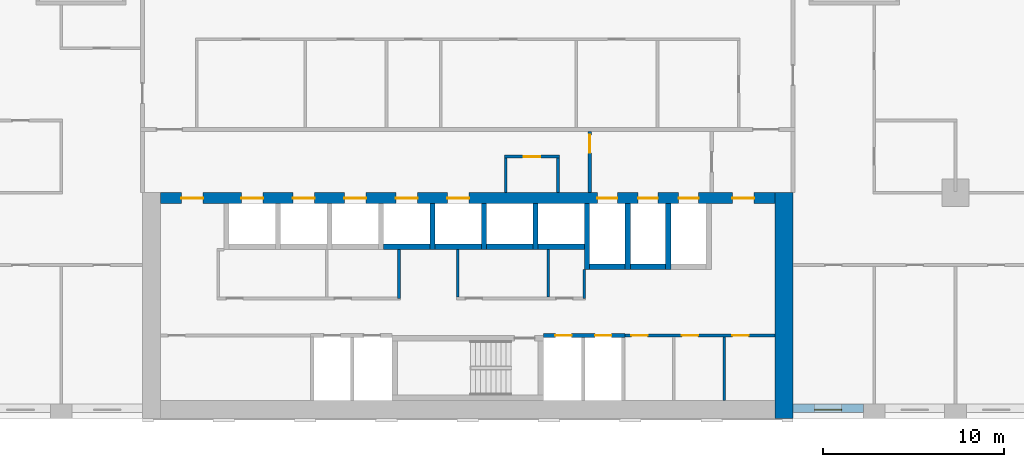
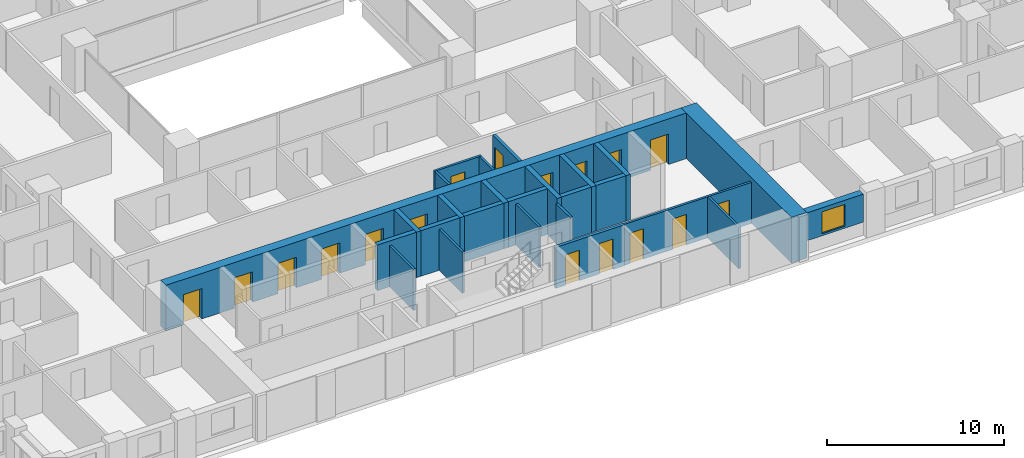
# One storey, part 11 of 20: 26 walls, 17 doors, 1 window, 18 openings.
"""IFC4 building model written with IfcOpenShell, lengths in metres."""

from ifc_helpers import new_model, si_unit, direction, frame, frame_2d, origin, place, context, subcontext, project, spatial, rectangle, extrude, material, layer, layer_set, type_object, element, fill, save


model = new_model("IFC4")

# Units and contexts
model_context = context("Model", 3, precision=1e-05, world=origin(), true_north=direction((0.0, 1.0)))
body_context = subcontext(model_context, "Body", "Model", "MODEL_VIEW")
ifc_project = project(units=[si_unit("LENGTHUNIT", "METRE"), si_unit("AREAUNIT", "SQUARE_METRE"), si_unit("VOLUMEUNIT", "CUBIC_METRE"), si_unit("PLANEANGLEUNIT", "RADIAN"), si_unit("MASSUNIT", "GRAM", prefix="KILO")], contexts=[model_context])

# Site, building, storey
site_placement = place(None, origin())
site = spatial("IfcSite", under=ifc_project, at=site_placement, CompositionType="ELEMENT")
building_placement = place(site_placement, origin())
building = spatial("IfcBuilding", under=site, at=building_placement, Name="Brigalow Station Residences", CompositionType="ELEMENT")
storey_placement = place(building_placement, frame((0.0, 0.0, 63.60009765625)))
storey = spatial("IfcBuildingStorey", under=building, at=storey_placement, Name="L18", CompositionType="ELEMENT", Elevation=63.60009765625)

# Wall, opening, window
ifc_material_1 = material(Name="Clay brick masonry", Category="masonry")
ifc_layer_1 = layer(ifc_material_1, 0.449951171875)
ifc_layer_set_1 = layer_set([ifc_layer_1], Name="BRICK INFILL WALL 450")
wall_type_1 = type_object("IfcWallType", Name="BRICK INFILL WALL 450", PredefinedType="SOLIDWALL", material=ifc_layer_set_1)
wall_1_placement = place(storey_placement, frame((54.0, 0.574951171875, 0.89990234375), z_axis=(0.0, 0.0, 1.0), x_axis=(1.0, 0.0, 0.0)))
wall_1 = element("IfcWall", 1, at=wall_1_placement, inside=storey, type_object=wall_type_1, Name="L18/ewall/W-L18-5", PredefinedType="SOLIDWALL", context=body_context, shape_type="SweptSolid", body=[
    extrude(rectangle(XDim=3.89990234375, YDim=0.449951171875, at=frame_2d((1.949951171875, 0.0))), origin(), (0.0, 0.0, 1.0), 1.929931640625),
])
opening_1_placement = place(wall_1_placement, frame((1.199951171875, 0.0, 0.14990234375)))
opening_1 = element("IfcOpeningElement", 2, at=opening_1_placement, cuts=wall_1, Name="Opening WT-1", PredefinedType="OPENING", context=body_context, shape_type="SweptSolid", body=[
    extrude(rectangle(XDim=1.5, YDim=1.5, at=frame_2d((0.75, 0.75))), frame((0.0, 0.23486328125, 0.0), z_axis=(0.0, -1.0, 0.0), x_axis=(1.0, 0.0, 0.0)), (0.0, 0.0, 1.0), 0.469970703125),
])
ifc_material_2 = material(Name="Anodised aluminium frame with double glazing", Category="aluminium")
window_type = type_object("IfcWindowType", Name="WINDOW 1500x1500", PartitioningType="SINGLE_PANEL", PredefinedType="WINDOW", material=ifc_material_2)
window_placement = place(opening_1_placement, origin())
window = element("IfcWindow", 3, at=window_placement, inside=storey, type_object=window_type, Name="L18/window/W-L18-5", OverallHeight=1.5, OverallWidth=1.5, PartitioningType="SINGLE_PANEL", PredefinedType="WINDOW", context=body_context, shape_type="SweptSolid", body=[
    extrude(rectangle(XDim=1.5, YDim=1.5, at=frame_2d((0.75, 0.75))), frame((0.0, -0.06494140625, 0.0), z_axis=(0.0, -1.0, 0.0), x_axis=(1.0, 0.0, 0.0)), (0.0, 0.0, 1.0), 0.06005859375),
])
fill(opening_1, window)

# Walls
ifc_material_3 = material(Name="Concrete C80", Category="concrete")
ifc_layer_2 = layer(ifc_material_3, 1.0)
ifc_layer_set_2 = layer_set([ifc_layer_2], Name="CORE SHEAR WALL 1000 C80")
wall_type_2 = type_object("IfcWallType", Name="CORE SHEAR WALL 1000 C80", PredefinedType="SHEAR", material=ifc_layer_set_2)
wall_2_placement = place(storey_placement, frame((53.5, 0.0, 0.0), z_axis=(0.0, 0.0, 1.0), x_axis=(0.0, 1.0, 0.0)))
element("IfcWall", 4, at=wall_2_placement, inside=storey, type_object=wall_type_2, Name="CORE WALL OUT-E L18", PredefinedType="SHEAR", context=body_context, shape_type="SweptSolid", body=[
    extrude(rectangle(XDim=12.5, YDim=1.0, at=frame_2d((6.25, 0.0))), origin(), (0.0, 0.0, 1.0), 3.14990234375),
])
ifc_material_4 = material(Name="Concrete C80", Category="concrete")
ifc_layer_3 = layer(ifc_material_4, 0.300048828125)
ifc_layer_set_3 = layer_set([ifc_layer_3], Name="CORE SHEAR WALL 300 C80")
wall_type_3 = type_object("IfcWallType", Name="CORE SHEAR WALL 300 C80", PredefinedType="SHEAR", material=ifc_layer_set_3)
wall_3_placement = place(storey_placement, frame((31.35009765625, 9.5, 0.0), z_axis=(0.0, 0.0, 1.0), x_axis=(1.0, 0.0, 0.0)))
element("IfcWall", 5, at=wall_3_placement, inside=storey, type_object=wall_type_3, Name="CORE WALL SH-P4-S L18", PredefinedType="SHEAR", context=body_context, shape_type="SweptSolid", body=[
    extrude(rectangle(XDim=2.5498046875, YDim=0.300048828125, at=frame_2d((1.27490234375, 0.0))), origin(), (0.0, 0.0, 1.0), 3.14990234375),
])
wall_4_placement = place(storey_placement, frame((34.199951171875, 9.5, 0.0), z_axis=(0.0, 0.0, 1.0), x_axis=(1.0, 0.0, 0.0)))
element("IfcWall", 6, at=wall_4_placement, inside=storey, type_object=wall_type_3, Name="CORE WALL SH-P5-S L18", PredefinedType="SHEAR", context=body_context, shape_type="SweptSolid", body=[
    extrude(rectangle(XDim=2.550048828125, YDim=0.300048828125, at=frame_2d((1.27490234375, 0.0))), origin(), (0.0, 0.0, 1.0), 3.14990234375),
])
wall_5_placement = place(storey_placement, frame((34.050048828125, 9.35009765625, 0.0), z_axis=(0.0, 0.0, 1.0), x_axis=(0.0, 1.0, 0.0)))
element("IfcWall", 7, at=wall_5_placement, inside=storey, type_object=wall_type_3, Name="CORE WALL SH-P5-W L18", PredefinedType="SHEAR", context=body_context, shape_type="SweptSolid", body=[
    extrude(rectangle(XDim=2.5498046875, YDim=0.300048828125, at=frame_2d((1.27490234375, 0.0))), origin(), (0.0, 0.0, 1.0), 3.14990234375),
])
wall_6_placement = place(storey_placement, frame((37.050048828125, 9.5, 0.0), z_axis=(0.0, 0.0, 1.0), x_axis=(1.0, 0.0, 0.0)))
element("IfcWall", 8, at=wall_6_placement, inside=storey, type_object=wall_type_3, Name="CORE WALL SH-X1-S L18", PredefinedType="SHEAR", context=body_context, shape_type="SweptSolid", body=[
    extrude(rectangle(XDim=2.550048828125, YDim=0.300048828125, at=frame_2d((1.27490234375, 0.0))), origin(), (0.0, 0.0, 1.0), 3.14990234375),
])
wall_7_placement = place(storey_placement, frame((36.89990234375, 9.35009765625, 0.0), z_axis=(0.0, 0.0, 1.0), x_axis=(0.0, 1.0, 0.0)))
element("IfcWall", 9, at=wall_7_placement, inside=storey, type_object=wall_type_3, Name="CORE WALL SH-X1-W L18", PredefinedType="SHEAR", context=body_context, shape_type="SweptSolid", body=[
    extrude(rectangle(XDim=2.5498046875, YDim=0.300048828125, at=frame_2d((1.27490234375, 0.0))), origin(), (0.0, 0.0, 1.0), 3.14990234375),
])
wall_8_placement = place(storey_placement, frame((39.89990234375, 9.5, 0.0), z_axis=(0.0, 0.0, 1.0), x_axis=(1.0, 0.0, 0.0)))
element("IfcWall", 10, at=wall_8_placement, inside=storey, type_object=wall_type_3, Name="CORE WALL SH-X2-S L18", PredefinedType="SHEAR", context=body_context, shape_type="SweptSolid", body=[
    extrude(rectangle(XDim=2.550048828125, YDim=0.300048828125, at=frame_2d((1.27490234375, 0.0))), origin(), (0.0, 0.0, 1.0), 3.14990234375),
])
wall_9_placement = place(storey_placement, frame((39.75, 9.35009765625, 0.0), z_axis=(0.0, 0.0, 1.0), x_axis=(0.0, 1.0, 0.0)))
element("IfcWall", 11, at=wall_9_placement, inside=storey, type_object=wall_type_3, Name="CORE WALL SH-X2-W L18", PredefinedType="SHEAR", context=body_context, shape_type="SweptSolid", body=[
    extrude(rectangle(XDim=2.5498046875, YDim=0.300048828125, at=frame_2d((1.27490234375, 0.0))), origin(), (0.0, 0.0, 1.0), 3.14990234375),
])
wall_10_placement = place(storey_placement, frame((42.75, 8.39990234375, 0.0), z_axis=(0.0, 0.0, 1.0), x_axis=(1.0, 0.0, 0.0)))
element("IfcWall", 12, at=wall_10_placement, inside=storey, type_object=wall_type_3, Name="CORE WALL SH-FF1-S L18", PredefinedType="SHEAR", context=body_context, shape_type="SweptSolid", body=[
    extrude(rectangle(XDim=1.949951171875, YDim=0.300048828125, at=frame_2d((0.97509765625, 0.0))), origin(), (0.0, 0.0, 1.0), 3.14990234375),
])
wall_11_placement = place(storey_placement, frame((42.60009765625, 8.25, 0.0), z_axis=(0.0, 0.0, 1.0), x_axis=(0.0, 1.0, 0.0)))
element("IfcWall", 13, at=wall_11_placement, inside=storey, type_object=wall_type_3, Name="CORE WALL SH-FF1-W L18", PredefinedType="SHEAR", context=body_context, shape_type="SweptSolid", body=[
    extrude(rectangle(XDim=3.64990234375, YDim=0.300048828125, at=frame_2d((1.824951171875, 0.0))), origin(), (0.0, 0.0, 1.0), 3.14990234375),
])
wall_12_placement = place(storey_placement, frame((45.0, 8.39990234375, 0.0), z_axis=(0.0, 0.0, 1.0), x_axis=(1.0, 0.0, 0.0)))
element("IfcWall", 14, at=wall_12_placement, inside=storey, type_object=wall_type_3, Name="CORE WALL SH-FF2-S L18", PredefinedType="SHEAR", context=body_context, shape_type="SweptSolid", body=[
    extrude(rectangle(XDim=1.949951171875, YDim=0.300048828125, at=frame_2d((0.97509765625, 0.0))), origin(), (0.0, 0.0, 1.0), 3.14990234375),
])
for number, where, z_axis, x_axis, name in (
    (15, (44.85009765625, 8.25, 0.0), (0.0, 0.0, 1.0), (0.0, 1.0, 0.0), "CORE WALL SH-FF2-W L18"),
    (16, (47.10009765625, 8.25, 0.0), (0.0, 0.0, 1.0), (0.0, 1.0, 0.0), "CORE WALL SH-SL1-W L18"),
):
    element("IfcWall", number, at=place(storey_placement, frame(where, z_axis=z_axis, x_axis=x_axis)), inside=storey, type_object=wall_type_3, Name=name, PredefinedType="SHEAR", context=body_context, shape_type="SweptSolid", body=[
        extrude(rectangle(XDim=3.64990234375, YDim=0.300048828125, at=frame_2d((1.824951171875, 0.0))), origin(), (0.0, 0.0, 1.0), 3.14990234375),
    ])

# Wall, openings, doors
ifc_material_5 = material(Name="Concrete C80", Category="concrete")
ifc_layer_4 = layer(ifc_material_5, 0.60009765625)
ifc_layer_set_4 = layer_set([ifc_layer_4], Name="CORE SHEAR WALL 600 C80")
wall_type_4 = type_object("IfcWallType", Name="CORE SHEAR WALL 600 C80", PredefinedType="SHEAR", material=ifc_layer_set_4)
wall_13_placement = place(storey_placement, frame((19.0, 12.199951171875, 0.0), z_axis=(0.0, 0.0, 1.0), x_axis=(1.0, 0.0, 0.0)))
wall_13 = element("IfcWall", 17, at=wall_13_placement, inside=storey, type_object=wall_type_4, Name="CORE WALL OUT-N L18", PredefinedType="SHEAR", context=body_context, shape_type="SweptSolid", body=[
    extrude(rectangle(XDim=34.0, YDim=0.60009765625, at=frame_2d((17.0, 0.0))), origin(), (0.0, 0.0, 1.0), 3.14990234375),
])
opening_2_placement = place(wall_13_placement, frame((4.47509765625, 0.0, 0.0)))
opening_2 = element("IfcOpeningElement", 18, at=opening_2_placement, cuts=wall_13, Name="Opening LD-LA1", PredefinedType="OPENING", context=body_context, shape_type="SweptSolid", body=[
    extrude(rectangle(XDim=1.199951171875, YDim=2.10009765625, at=frame_2d((0.60009765625, 1.050048828125))), frame((0.0, 0.31005859375, 0.0), z_axis=(0.0, -1.0, 0.0), x_axis=(1.0, 0.0, 0.0)), (0.0, 0.0, 1.0), 0.6201171875),
])
opening_3_placement = place(wall_13_placement, frame((7.324951171875, 0.0, 0.0)))
opening_3 = element("IfcOpeningElement", 19, at=opening_3_placement, cuts=wall_13, Name="Opening LD-LA2", PredefinedType="OPENING", context=body_context, shape_type="SweptSolid", body=[
    extrude(rectangle(XDim=1.199951171875, YDim=2.10009765625, at=frame_2d((0.60009765625, 1.050048828125))), frame((0.0, 0.31005859375, 0.0), z_axis=(0.0, -1.0, 0.0), x_axis=(1.0, 0.0, 0.0)), (0.0, 0.0, 1.0), 0.6201171875),
])
opening_4_placement = place(wall_13_placement, frame((10.175048828125, 0.0, 0.0)))
opening_4 = element("IfcOpeningElement", 20, at=opening_4_placement, cuts=wall_13, Name="Opening LD-LA3", PredefinedType="OPENING", context=body_context, shape_type="SweptSolid", body=[
    extrude(rectangle(XDim=1.199951171875, YDim=2.10009765625, at=frame_2d((0.60009765625, 1.050048828125))), frame((0.0, 0.31005859375, 0.0), z_axis=(0.0, -1.0, 0.0), x_axis=(1.0, 0.0, 0.0)), (0.0, 0.0, 1.0), 0.6201171875),
])
opening_5_placement = place(wall_13_placement, frame((13.02490234375, 0.0, 0.0)))
opening_5 = element("IfcOpeningElement", 21, at=opening_5_placement, cuts=wall_13, Name="Opening LD-LA4", PredefinedType="OPENING", context=body_context, shape_type="SweptSolid", body=[
    extrude(rectangle(XDim=1.199951171875, YDim=2.10009765625, at=frame_2d((0.60009765625, 1.050048828125))), frame((0.0, 0.31005859375, 0.0), z_axis=(0.0, -1.0, 0.0), x_axis=(1.0, 0.0, 0.0)), (0.0, 0.0, 1.0), 0.6201171875),
])
opening_6_placement = place(wall_13_placement, frame((15.875, 0.0, 0.0)))
opening_6 = element("IfcOpeningElement", 22, at=opening_6_placement, cuts=wall_13, Name="Opening LD-LA5", PredefinedType="OPENING", context=body_context, shape_type="SweptSolid", body=[
    extrude(rectangle(XDim=1.199951171875, YDim=2.10009765625, at=frame_2d((0.60009765625, 1.050048828125))), frame((0.0, 0.31005859375, 0.0), z_axis=(0.0, -1.0, 0.0), x_axis=(1.0, 0.0, 0.0)), (0.0, 0.0, 1.0), 0.6201171875),
])
opening_7_placement = place(wall_13_placement, frame((24.175048828125, 0.0, 0.0)))
opening_7 = element("IfcOpeningElement", 23, at=opening_7_placement, cuts=wall_13, Name="Opening LD-LF1", PredefinedType="OPENING", context=body_context, shape_type="SweptSolid", body=[
    extrude(rectangle(XDim=1.10009765625, YDim=2.10009765625, at=frame_2d((0.550048828125, 1.050048828125))), frame((0.0, 0.31005859375, 0.0), z_axis=(0.0, -1.0, 0.0), x_axis=(1.0, 0.0, 0.0)), (0.0, 0.0, 1.0), 0.6201171875),
])
opening_8_placement = place(wall_13_placement, frame((26.425048828125, 0.0, 0.0)))
opening_8 = element("IfcOpeningElement", 24, at=opening_8_placement, cuts=wall_13, Name="Opening LD-LF2", PredefinedType="OPENING", context=body_context, shape_type="SweptSolid", body=[
    extrude(rectangle(XDim=1.10009765625, YDim=2.10009765625, at=frame_2d((0.550048828125, 1.050048828125))), frame((0.0, 0.31005859375, 0.0), z_axis=(0.0, -1.0, 0.0), x_axis=(1.0, 0.0, 0.0)), (0.0, 0.0, 1.0), 0.6201171875),
])
opening_9_placement = place(wall_13_placement, frame((28.675048828125, 0.0, 0.0)))
opening_9 = element("IfcOpeningElement", 25, at=opening_9_placement, cuts=wall_13, Name="Opening LD-LG1", PredefinedType="OPENING", context=body_context, shape_type="SweptSolid", body=[
    extrude(rectangle(XDim=1.10009765625, YDim=2.10009765625, at=frame_2d((0.550048828125, 1.050048828125))), frame((0.0, 0.31005859375, 0.0), z_axis=(0.0, -1.0, 0.0), x_axis=(1.0, 0.0, 0.0)), (0.0, 0.0, 1.0), 0.6201171875),
])
opening_10_placement = place(wall_13_placement, frame((1.14990234375, 0.0, 0.0)))
opening_10 = element("IfcOpeningElement", 26, at=opening_10_placement, cuts=wall_13, Name="Opening D-5011", PredefinedType="OPENING", context=body_context, shape_type="SweptSolid", body=[
    extrude(rectangle(XDim=1.199951171875, YDim=2.10009765625, at=frame_2d((0.60009765625, 1.050048828125))), frame((0.0, 0.31005859375, 0.0), z_axis=(0.0, -1.0, 0.0), x_axis=(1.0, 0.0, 0.0)), (0.0, 0.0, 1.0), 0.6201171875),
])
opening_11_placement = place(wall_13_placement, frame((31.64990234375, 0.0, 0.0)))
opening_11 = element("IfcOpeningElement", 27, at=opening_11_placement, cuts=wall_13, Name="Opening D-5012", PredefinedType="OPENING", context=body_context, shape_type="SweptSolid", body=[
    extrude(rectangle(XDim=1.199951171875, YDim=2.10009765625, at=frame_2d((0.60009765625, 1.050048828125))), frame((0.0, 0.31005859375, 0.0), z_axis=(0.0, -1.0, 0.0), x_axis=(1.0, 0.0, 0.0)), (0.0, 0.0, 1.0), 0.6201171875),
])
ifc_material_6 = material(Name="Steel fire door leaf in steel frame", Category="steel")
door_type_1 = type_object("IfcDoorType", Name="CORE CORRIDOR DOOR 1200 x 2100 FD60S", OperationType="SINGLE_SWING_LEFT", PredefinedType="DOOR", material=ifc_material_6)
door_1_placement = place(opening_10_placement, frame((1.199951171875, 0.0, 0.0), z_axis=(0.0, 0.0, 1.0), x_axis=(-1.0, 0.0, 0.0)))
door_1 = element("IfcDoor", 28, at=door_1_placement, inside=storey, type_object=door_type_1, Name="D-5011", OperationType="SINGLE_SWING_LEFT", OverallHeight=2.10009765625, OverallWidth=1.199951171875, PredefinedType="DOOR", context=body_context, shape_type="SweptSolid", body=[
    extrude(rectangle(XDim=1.199951171875, YDim=2.10009765625, at=frame_2d((0.60009765625, 1.050048828125))), frame((0.0, 0.02490234375, 0.0), z_axis=(0.0, -1.0, 0.0), x_axis=(1.0, 0.0, 0.0)), (0.0, 0.0, 1.0), 0.050048828125),
])
fill(opening_10, door_1)
door_2_placement = place(opening_11_placement, frame((1.199951171875, 0.0, 0.0), z_axis=(0.0, 0.0, 1.0), x_axis=(-1.0, 0.0, 0.0)))
door_2 = element("IfcDoor", 29, at=door_2_placement, inside=storey, type_object=door_type_1, Name="D-5012", OperationType="SINGLE_SWING_RIGHT", OverallHeight=2.10009765625, OverallWidth=1.199951171875, PredefinedType="DOOR", context=body_context, shape_type="SweptSolid", body=[
    extrude(rectangle(XDim=1.199951171875, YDim=2.10009765625, at=frame_2d((0.60009765625, 1.050048828125))), frame((0.0, 0.02490234375, 0.0), z_axis=(0.0, -1.0, 0.0), x_axis=(1.0, 0.0, 0.0)), (0.0, 0.0, 1.0), 0.050048828125),
])
fill(opening_11, door_2)
ifc_material_7 = material(Name="Stainless steel sliding door leaves", Category="steel")
door_type_2 = type_object("IfcDoorType", Name="LIFT LANDING DOOR 1100 x 2100", OperationType="DOUBLE_DOOR_SLIDING", PredefinedType="DOOR", material=ifc_material_7)
door_3_placement = place(opening_7_placement, origin())
door_3 = element("IfcDoor", 30, at=door_3_placement, inside=storey, type_object=door_type_2, Name="LANDING DOOR LF1", OperationType="DOUBLE_DOOR_SLIDING", OverallHeight=2.10009765625, OverallWidth=1.10009765625, PredefinedType="DOOR", context=body_context, shape_type="SweptSolid", body=[
    extrude(rectangle(XDim=1.10009765625, YDim=2.10009765625, at=frame_2d((0.550048828125, 1.050048828125))), frame((0.0, 0.02490234375, 0.0), z_axis=(0.0, -1.0, 0.0), x_axis=(1.0, 0.0, 0.0)), (0.0, 0.0, 1.0), 0.050048828125),
])
fill(opening_7, door_3)
door_4_placement = place(opening_8_placement, origin())
door_4 = element("IfcDoor", 31, at=door_4_placement, inside=storey, type_object=door_type_2, Name="LANDING DOOR LF2", OperationType="DOUBLE_DOOR_SLIDING", OverallHeight=2.10009765625, OverallWidth=1.10009765625, PredefinedType="DOOR", context=body_context, shape_type="SweptSolid", body=[
    extrude(rectangle(XDim=1.10009765625, YDim=2.10009765625, at=frame_2d((0.550048828125, 1.050048828125))), frame((0.0, 0.02490234375, 0.0), z_axis=(0.0, -1.0, 0.0), x_axis=(1.0, 0.0, 0.0)), (0.0, 0.0, 1.0), 0.050048828125),
])
fill(opening_8, door_4)
door_5_placement = place(opening_9_placement, origin())
door_5 = element("IfcDoor", 32, at=door_5_placement, inside=storey, type_object=door_type_2, Name="LANDING DOOR LG1", OperationType="DOUBLE_DOOR_SLIDING", OverallHeight=2.10009765625, OverallWidth=1.10009765625, PredefinedType="DOOR", context=body_context, shape_type="SweptSolid", body=[
    extrude(rectangle(XDim=1.10009765625, YDim=2.10009765625, at=frame_2d((0.550048828125, 1.050048828125))), frame((0.0, 0.02490234375, 0.0), z_axis=(0.0, -1.0, 0.0), x_axis=(1.0, 0.0, 0.0)), (0.0, 0.0, 1.0), 0.050048828125),
])
fill(opening_9, door_5)
ifc_material_8 = material(Name="Stainless steel sliding door leaves", Category="steel")
door_type_3 = type_object("IfcDoorType", Name="LIFT LANDING DOOR 1200 x 2100", OperationType="DOUBLE_DOOR_SLIDING", PredefinedType="DOOR", material=ifc_material_8)
door_6_placement = place(opening_2_placement, origin())
door_6 = element("IfcDoor", 33, at=door_6_placement, inside=storey, type_object=door_type_3, Name="LANDING DOOR LA1", OperationType="DOUBLE_DOOR_SLIDING", OverallHeight=2.10009765625, OverallWidth=1.199951171875, PredefinedType="DOOR", context=body_context, shape_type="SweptSolid", body=[
    extrude(rectangle(XDim=1.199951171875, YDim=2.10009765625, at=frame_2d((0.60009765625, 1.050048828125))), frame((0.0, 0.02490234375, 0.0), z_axis=(0.0, -1.0, 0.0), x_axis=(1.0, 0.0, 0.0)), (0.0, 0.0, 1.0), 0.050048828125),
])
fill(opening_2, door_6)
door_7_placement = place(opening_3_placement, origin())
door_7 = element("IfcDoor", 34, at=door_7_placement, inside=storey, type_object=door_type_3, Name="LANDING DOOR LA2", OperationType="DOUBLE_DOOR_SLIDING", OverallHeight=2.10009765625, OverallWidth=1.199951171875, PredefinedType="DOOR", context=body_context, shape_type="SweptSolid", body=[
    extrude(rectangle(XDim=1.199951171875, YDim=2.10009765625, at=frame_2d((0.60009765625, 1.050048828125))), frame((0.0, 0.02490234375, 0.0), z_axis=(0.0, -1.0, 0.0), x_axis=(1.0, 0.0, 0.0)), (0.0, 0.0, 1.0), 0.050048828125),
])
fill(opening_3, door_7)
door_8_placement = place(opening_4_placement, origin())
door_8 = element("IfcDoor", 35, at=door_8_placement, inside=storey, type_object=door_type_3, Name="LANDING DOOR LA3", OperationType="DOUBLE_DOOR_SLIDING", OverallHeight=2.10009765625, OverallWidth=1.199951171875, PredefinedType="DOOR", context=body_context, shape_type="SweptSolid", body=[
    extrude(rectangle(XDim=1.199951171875, YDim=2.10009765625, at=frame_2d((0.60009765625, 1.050048828125))), frame((0.0, 0.02490234375, 0.0), z_axis=(0.0, -1.0, 0.0), x_axis=(1.0, 0.0, 0.0)), (0.0, 0.0, 1.0), 0.050048828125),
])
fill(opening_4, door_8)
door_9_placement = place(opening_5_placement, origin())
door_9 = element("IfcDoor", 36, at=door_9_placement, inside=storey, type_object=door_type_3, Name="LANDING DOOR LA4", OperationType="DOUBLE_DOOR_SLIDING", OverallHeight=2.10009765625, OverallWidth=1.199951171875, PredefinedType="DOOR", context=body_context, shape_type="SweptSolid", body=[
    extrude(rectangle(XDim=1.199951171875, YDim=2.10009765625, at=frame_2d((0.60009765625, 1.050048828125))), frame((0.0, 0.02490234375, 0.0), z_axis=(0.0, -1.0, 0.0), x_axis=(1.0, 0.0, 0.0)), (0.0, 0.0, 1.0), 0.050048828125),
])
fill(opening_5, door_9)
door_10_placement = place(opening_6_placement, origin())
door_10 = element("IfcDoor", 37, at=door_10_placement, inside=storey, type_object=door_type_3, Name="LANDING DOOR LA5", OperationType="DOUBLE_DOOR_SLIDING", OverallHeight=2.10009765625, OverallWidth=1.199951171875, PredefinedType="DOOR", context=body_context, shape_type="SweptSolid", body=[
    extrude(rectangle(XDim=1.199951171875, YDim=2.10009765625, at=frame_2d((0.60009765625, 1.050048828125))), frame((0.0, 0.02490234375, 0.0), z_axis=(0.0, -1.0, 0.0), x_axis=(1.0, 0.0, 0.0)), (0.0, 0.0, 1.0), 0.050048828125),
])
fill(opening_6, door_10)

ifc_material_9 = material(Name="Concrete blockwork", Category="masonry")
ifc_layer_5 = layer(ifc_material_9, 0.199951171875)
ifc_layer_set_5 = layer_set([ifc_layer_5], Name="FIRE RATED CORE PARTITION 200")
wall_type_5 = type_object("IfcWallType", Name="FIRE RATED CORE PARTITION 200", PredefinedType="PARTITIONING", material=ifc_layer_set_5)
wall_14_placement = place(storey_placement, frame((40.199951171875, 4.60009765625, 0.0), z_axis=(0.0, 0.0, 1.0), x_axis=(1.0, 0.0, 0.0)))
wall_14 = element("IfcWall", 38, at=wall_14_placement, inside=storey, type_object=wall_type_5, Name="PW-5018", PredefinedType="PARTITIONING", context=body_context, shape_type="SweptSolid", body=[
    extrude(rectangle(XDim=4.5, YDim=0.199951171875, at=frame_2d((2.25, 0.0))), origin(), (0.0, 0.0, 1.0), 2.829833984375),
])
opening_12_placement = place(wall_14_placement, frame((0.64990234375, 0.0, 0.0)))
opening_12 = element("IfcOpeningElement", 39, at=opening_12_placement, cuts=wall_14, Name="Opening D-5009", PredefinedType="OPENING", context=body_context, shape_type="SweptSolid", body=[
    extrude(rectangle(XDim=0.89990234375, YDim=2.10009765625, at=frame_2d((0.449951171875, 1.050048828125))), frame((0.0, 0.10986328125, 0.0), z_axis=(0.0, -1.0, 0.0), x_axis=(1.0, 0.0, 0.0)), (0.0, 0.0, 1.0), 0.219970703125),
])
opening_13_placement = place(wall_14_placement, frame((2.85009765625, 0.0, 0.0)))
opening_13 = element("IfcOpeningElement", 40, at=opening_13_placement, cuts=wall_14, Name="Opening D-5010", PredefinedType="OPENING", context=body_context, shape_type="SweptSolid", body=[
    extrude(rectangle(XDim=0.89990234375, YDim=2.10009765625, at=frame_2d((0.449951171875, 1.050048828125))), frame((0.0, 0.10986328125, 0.0), z_axis=(0.0, -1.0, 0.0), x_axis=(1.0, 0.0, 0.0)), (0.0, 0.0, 1.0), 0.219970703125),
])
ifc_material_10 = material(Name="Steel fire door leaf in steel frame", Category="steel")
door_type_4 = type_object("IfcDoorType", Name="RISER ACCESS DOOR 900 x 2100 FD120", OperationType="SINGLE_SWING_LEFT", PredefinedType="DOOR", material=ifc_material_10)
door_11_placement = place(opening_12_placement, frame((0.89990234375, 0.0, 0.0), z_axis=(0.0, 0.0, 1.0), x_axis=(-1.0, 0.0, 0.0)))
door_11 = element("IfcDoor", 41, at=door_11_placement, inside=storey, type_object=door_type_4, Name="D-5009", OperationType="SINGLE_SWING_LEFT", OverallHeight=2.10009765625, OverallWidth=0.89990234375, PredefinedType="DOOR", context=body_context, shape_type="SweptSolid", body=[
    extrude(rectangle(XDim=0.89990234375, YDim=2.10009765625, at=frame_2d((0.449951171875, 1.050048828125))), frame((0.0, 0.02490234375, 0.0), z_axis=(0.0, -1.0, 0.0), x_axis=(1.0, 0.0, 0.0)), (0.0, 0.0, 1.0), 0.050048828125),
])
fill(opening_12, door_11)
door_12_placement = place(opening_13_placement, frame((0.89990234375, 0.0, 0.0), z_axis=(0.0, 0.0, 1.0), x_axis=(-1.0, 0.0, 0.0)))
door_12 = element("IfcDoor", 42, at=door_12_placement, inside=storey, type_object=door_type_4, Name="D-5010", OperationType="SINGLE_SWING_LEFT", OverallHeight=2.10009765625, OverallWidth=0.89990234375, PredefinedType="DOOR", context=body_context, shape_type="SweptSolid", body=[
    extrude(rectangle(XDim=0.89990234375, YDim=2.10009765625, at=frame_2d((0.449951171875, 1.050048828125))), frame((0.0, 0.02490234375, 0.0), z_axis=(0.0, -1.0, 0.0), x_axis=(1.0, 0.0, 0.0)), (0.0, 0.0, 1.0), 0.050048828125),
])
fill(opening_13, door_12)

# Wall, opening, door
wall_15_placement = place(storey_placement, frame((42.75, 12.5, 0.0), z_axis=(0.0, 0.0, 1.0), x_axis=(0.0, 1.0, 0.0)))
wall_15 = element("IfcWall", 43, at=wall_15_placement, inside=storey, type_object=wall_type_5, Name="PW-5014", PredefinedType="PARTITIONING", context=body_context, shape_type="SweptSolid", body=[
    extrude(rectangle(XDim=3.39990234375, YDim=0.199951171875, at=frame_2d((1.699951171875, 0.0))), origin(), (0.0, 0.0, 1.0), 2.829833984375),
])
opening_14_placement = place(wall_15_placement, frame((2.199951171875, 0.0, 0.0)))
opening_14 = element("IfcOpeningElement", 44, at=opening_14_placement, cuts=wall_15, Name="Opening D-5013", PredefinedType="OPENING", context=body_context, shape_type="SweptSolid", body=[
    extrude(rectangle(XDim=1.0, YDim=2.10009765625, at=frame_2d((0.5, 1.050048828125))), frame((0.0, 0.10986328125, 0.0), z_axis=(0.0, -1.0, 0.0), x_axis=(1.0, 0.0, 0.0)), (0.0, 0.0, 1.0), 0.219970703125),
])
ifc_material_11 = material(Name="Steel fire door leaf in steel frame", Category="steel")
door_type_5 = type_object("IfcDoorType", Name="LOBBY DOOR 1000 x 2100 FD60S", OperationType="SINGLE_SWING_LEFT", PredefinedType="DOOR", material=ifc_material_11)
door_13_placement = place(opening_14_placement, origin())
door_13 = element("IfcDoor", 45, at=door_13_placement, inside=storey, type_object=door_type_5, Name="D-5013", OperationType="SINGLE_SWING_RIGHT", OverallHeight=2.10009765625, OverallWidth=1.0, PredefinedType="DOOR", context=body_context, shape_type="SweptSolid", body=[
    extrude(rectangle(XDim=1.0, YDim=2.10009765625, at=frame_2d((0.5, 1.050048828125))), frame((0.0, 0.02490234375, 0.0), z_axis=(0.0, -1.0, 0.0), x_axis=(1.0, 0.0, 0.0)), (0.0, 0.0, 1.0), 0.050048828125),
])
fill(opening_14, door_13)

# Wall, openings, doors
ifc_material_12 = material(Name="Plasterboard on steel studs", Category="steel")
ifc_layer_6 = layer(ifc_material_12, 0.14990234375)
ifc_layer_set_6 = layer_set([ifc_layer_6], Name="SERVICE ROOM PARTITION 150")
wall_type_6 = type_object("IfcWallType", Name="SERVICE ROOM PARTITION 150", PredefinedType="PARTITIONING", material=ifc_layer_set_6)
wall_16_placement = place(storey_placement, frame((44.699951171875, 4.60009765625, 0.0), z_axis=(0.0, 0.0, 1.0), x_axis=(1.0, 0.0, 0.0)))
wall_16 = element("IfcWall", 46, at=wall_16_placement, inside=storey, type_object=wall_type_6, Name="PW-5020", PredefinedType="PARTITIONING", context=body_context, shape_type="SweptSolid", body=[
    extrude(rectangle(XDim=8.300048828125, YDim=0.14990234375, at=frame_2d((4.14990234375, 0.0))), origin(), (0.0, 0.0, 1.0), 2.829833984375),
])
opening_15_placement = place(wall_16_placement, frame((0.35009765625, 0.0, 0.0)))
opening_15 = element("IfcOpeningElement", 47, at=opening_15_placement, cuts=wall_16, Name="Opening D-5026", PredefinedType="OPENING", context=body_context, shape_type="SweptSolid", body=[
    extrude(rectangle(XDim=0.89990234375, YDim=2.10009765625, at=frame_2d((0.449951171875, 1.050048828125))), frame((0.0, 0.0849609375, 0.0), z_axis=(0.0, -1.0, 0.0), x_axis=(1.0, 0.0, 0.0)), (0.0, 0.0, 1.0), 0.169921875),
])
opening_16_placement = place(wall_16_placement, frame((3.14990234375, 0.0, 0.0)))
opening_16 = element("IfcOpeningElement", 48, at=opening_16_placement, cuts=wall_16, Name="Opening D-5085", PredefinedType="OPENING", context=body_context, shape_type="SweptSolid", body=[
    extrude(rectangle(XDim=0.89990234375, YDim=2.10009765625, at=frame_2d((0.449951171875, 1.050048828125))), frame((0.0, 0.0849609375, 0.0), z_axis=(0.0, -1.0, 0.0), x_axis=(1.0, 0.0, 0.0)), (0.0, 0.0, 1.0), 0.169921875),
])
opening_17_placement = place(wall_16_placement, frame((5.949951171875, 0.0, 0.0)))
opening_17 = element("IfcOpeningElement", 49, at=opening_17_placement, cuts=wall_16, Name="Opening D-5086", PredefinedType="OPENING", context=body_context, shape_type="SweptSolid", body=[
    extrude(rectangle(XDim=0.89990234375, YDim=2.10009765625, at=frame_2d((0.449951171875, 1.050048828125))), frame((0.0, 0.0849609375, 0.0), z_axis=(0.0, -1.0, 0.0), x_axis=(1.0, 0.0, 0.0)), (0.0, 0.0, 1.0), 0.169921875),
])
ifc_material_13 = material(Name="Steel door leaf in steel frame", Category="steel")
door_type_6 = type_object("IfcDoorType", Name="SERVICE ROOM DOOR 900 x 2100 FD60", OperationType="SINGLE_SWING_LEFT", PredefinedType="DOOR", material=ifc_material_13)
door_14_placement = place(opening_15_placement, frame((0.89990234375, 0.0, 0.0), z_axis=(0.0, 0.0, 1.0), x_axis=(-1.0, 0.0, 0.0)))
door_14 = element("IfcDoor", 50, at=door_14_placement, inside=storey, type_object=door_type_6, Name="D-5026", OperationType="SINGLE_SWING_RIGHT", OverallHeight=2.10009765625, OverallWidth=0.89990234375, PredefinedType="DOOR", context=body_context, shape_type="SweptSolid", body=[
    extrude(rectangle(XDim=0.89990234375, YDim=2.10009765625, at=frame_2d((0.449951171875, 1.050048828125))), frame((0.0, 0.02490234375, 0.0), z_axis=(0.0, -1.0, 0.0), x_axis=(1.0, 0.0, 0.0)), (0.0, 0.0, 1.0), 0.050048828125),
])
fill(opening_15, door_14)
door_15_placement = place(opening_16_placement, frame((0.89990234375, 0.0, 0.0), z_axis=(0.0, 0.0, 1.0), x_axis=(-1.0, 0.0, 0.0)))
door_15 = element("IfcDoor", 51, at=door_15_placement, inside=storey, type_object=door_type_6, Name="D-5085", OperationType="SINGLE_SWING_RIGHT", OverallHeight=2.10009765625, OverallWidth=0.89990234375, PredefinedType="DOOR", context=body_context, shape_type="SweptSolid", body=[
    extrude(rectangle(XDim=0.89990234375, YDim=2.10009765625, at=frame_2d((0.449951171875, 1.050048828125))), frame((0.0, 0.02490234375, 0.0), z_axis=(0.0, -1.0, 0.0), x_axis=(1.0, 0.0, 0.0)), (0.0, 0.0, 1.0), 0.050048828125),
])
fill(opening_16, door_15)
door_16_placement = place(opening_17_placement, frame((0.89990234375, 0.0, 0.0), z_axis=(0.0, 0.0, 1.0), x_axis=(-1.0, 0.0, 0.0)))
door_16 = element("IfcDoor", 52, at=door_16_placement, inside=storey, type_object=door_type_6, Name="D-5086", OperationType="SINGLE_SWING_RIGHT", OverallHeight=2.10009765625, OverallWidth=0.89990234375, PredefinedType="DOOR", context=body_context, shape_type="SweptSolid", body=[
    extrude(rectangle(XDim=0.89990234375, YDim=2.10009765625, at=frame_2d((0.449951171875, 1.050048828125))), frame((0.0, 0.02490234375, 0.0), z_axis=(0.0, -1.0, 0.0), x_axis=(1.0, 0.0, 0.0)), (0.0, 0.0, 1.0), 0.050048828125),
])
fill(opening_17, door_16)

# Wall, opening, door
wall_17_placement = place(storey_placement, frame((38.02490234375, 14.5, 0.0), z_axis=(0.0, 0.0, 1.0), x_axis=(1.0, 0.0, 0.0)))
wall_17 = element("IfcWall", 53, at=wall_17_placement, inside=storey, type_object=wall_type_6, Name="PW-5138", PredefinedType="PARTITIONING", context=body_context, shape_type="SweptSolid", body=[
    extrude(rectangle(XDim=3.050048828125, YDim=0.14990234375, at=frame_2d((1.52490234375, 0.0))), origin(), (0.0, 0.0, 1.0), 2.829833984375),
])
opening_18_placement = place(wall_17_placement, frame((1.074951171875, 0.0, 0.0)))
opening_18 = element("IfcOpeningElement", 54, at=opening_18_placement, cuts=wall_17, Name="Opening D-5079", PredefinedType="OPENING", context=body_context, shape_type="SweptSolid", body=[
    extrude(rectangle(XDim=0.89990234375, YDim=2.10009765625, at=frame_2d((0.449951171875, 1.050048828125))), frame((0.0, 0.0849609375, 0.0), z_axis=(0.0, -1.0, 0.0), x_axis=(1.0, 0.0, 0.0)), (0.0, 0.0, 1.0), 0.169921875),
])
door_17_placement = place(opening_18_placement, frame((0.89990234375, 0.0, 0.0), z_axis=(0.0, 0.0, 1.0), x_axis=(-1.0, 0.0, 0.0)))
door_17 = element("IfcDoor", 55, at=door_17_placement, inside=storey, type_object=door_type_6, Name="D-5079", OperationType="SINGLE_SWING_RIGHT", OverallHeight=2.10009765625, OverallWidth=0.89990234375, PredefinedType="DOOR", context=body_context, shape_type="SweptSolid", body=[
    extrude(rectangle(XDim=0.89990234375, YDim=2.10009765625, at=frame_2d((0.449951171875, 1.050048828125))), frame((0.0, 0.02490234375, 0.0), z_axis=(0.0, -1.0, 0.0), x_axis=(1.0, 0.0, 0.0)), (0.0, 0.0, 1.0), 0.050048828125),
])
fill(opening_18, door_17)

# Walls
wall_18_placement = place(storey_placement, frame((50.199951171875, 1.0, 0.0), z_axis=(0.0, 0.0, 1.0), x_axis=(0.0, 1.0, 0.0)))
element("IfcWall", 56, at=wall_18_placement, inside=storey, type_object=wall_type_6, Name="PW-5151", PredefinedType="PARTITIONING", context=body_context, shape_type="SweptSolid", body=[
    extrude(rectangle(XDim=3.52490234375, YDim=0.14990234375, at=frame_2d((1.762451171875, 0.0))), origin(), (0.0, 0.0, 1.0), 2.829833984375),
])
wall_19_placement = place(storey_placement, frame((32.199951171875, 6.64990234375, 0.0), z_axis=(0.0, 0.0, 1.0), x_axis=(0.0, 1.0, 0.0)))
element("IfcWall", 57, at=wall_19_placement, inside=storey, type_object=wall_type_6, Name="PW-5152", PredefinedType="PARTITIONING", context=body_context, shape_type="SweptSolid", body=[
    extrude(rectangle(XDim=2.7001953125, YDim=0.14990234375, at=frame_2d((1.35009765625, 0.0))), origin(), (0.0, 0.0, 1.0), 2.829833984375),
])
wall_20_placement = place(storey_placement, frame((42.449951171875, 6.64990234375, 0.0), z_axis=(0.0, 0.0, 1.0), x_axis=(0.0, 1.0, 0.0)))
element("IfcWall", 58, at=wall_20_placement, inside=storey, type_object=wall_type_6, Name="PW-5029", PredefinedType="PARTITIONING", context=body_context, shape_type="SweptSolid", body=[
    extrude(rectangle(XDim=1.60009765625, YDim=0.14990234375, at=frame_2d((0.800048828125, 0.0))), origin(), (0.0, 0.0, 1.0), 2.829833984375),
])
for number, where, z_axis, x_axis, name in (
    (59, (35.449951171875, 6.72509765625, 0.0), (0.0, 0.0, 1.0), (0.0, 1.0, 0.0), "PW-5154"),
    (60, (40.449951171875, 6.72509765625, 0.0), (0.0, 0.0, 1.0), (0.0, 1.0, 0.0), "PW-5044"),
):
    element("IfcWall", number, at=place(storey_placement, frame(where, z_axis=z_axis, x_axis=x_axis)), inside=storey, type_object=wall_type_6, Name=name, PredefinedType="PARTITIONING", context=body_context, shape_type="SweptSolid", body=[
        extrude(rectangle(XDim=2.625, YDim=0.14990234375, at=frame_2d((1.3125, 0.0))), origin(), (0.0, 0.0, 1.0), 2.829833984375),
    ])
for number, where, z_axis, x_axis, name in (
    (61, (38.10009765625, 12.5, 0.0), (0.0, 0.0, 1.0), (0.0, 1.0, 0.0), "PW-5139"),
    (62, (41.0, 12.5, 0.0), (0.0, 0.0, 1.0), (0.0, 1.0, 0.0), "PW-5140"),
):
    element("IfcWall", number, at=place(storey_placement, frame(where, z_axis=z_axis, x_axis=x_axis)), inside=storey, type_object=wall_type_6, Name=name, PredefinedType="PARTITIONING", context=body_context, shape_type="SweptSolid", body=[
        extrude(rectangle(XDim=1.925048828125, YDim=0.14990234375, at=frame_2d((0.96240234375, 0.0))), origin(), (0.0, 0.0, 1.0), 2.829833984375),
    ])

save(model, "model.ifc")
